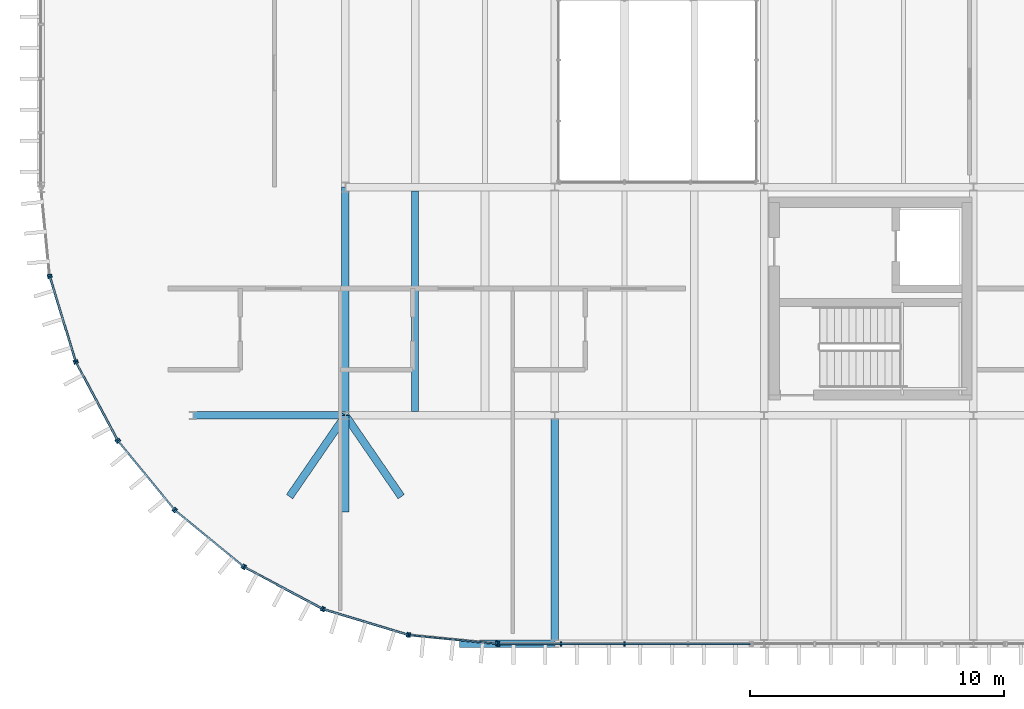
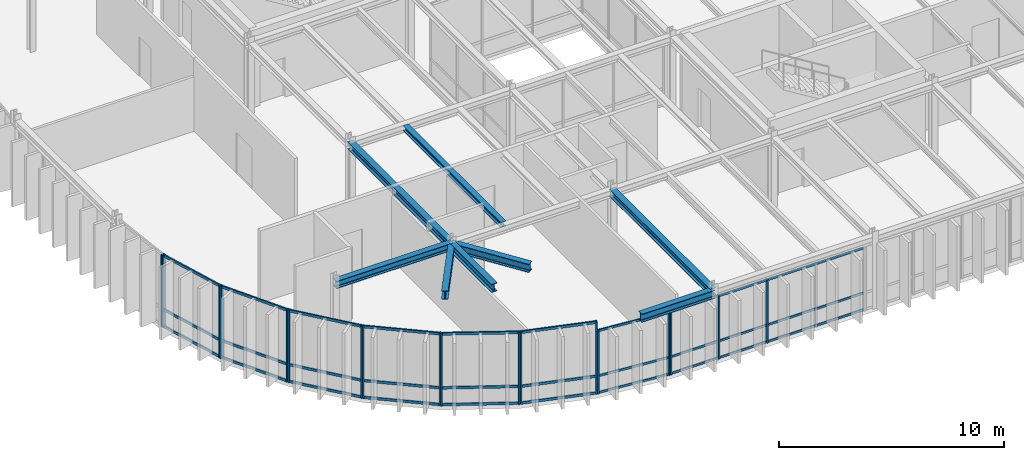
# One storey, part 5 of 27: 42 members, 8 beams, 9 elements without a shape of their own.
"""IFC4 building model written with IfcOpenShell, lengths in metres."""

from ifc_helpers import new_model, si_unit, direction, frame, origin, origin_2d, place, context, subcontext, project, spatial, rectangle, i_section, extrude, material, layer, layer_set, material_profile, profile_set, type_object, element, aggregate, save


model = new_model("IFC4")

# Units and contexts
model_context = context("Model", 3, precision=1e-05, world=origin(), true_north=direction((0.0, 1.0)))
body_context = subcontext(model_context, "Body", "Model", "MODEL_VIEW")
ifc_project = project(units=[si_unit("LENGTHUNIT", "METRE"), si_unit("AREAUNIT", "SQUARE_METRE"), si_unit("VOLUMEUNIT", "CUBIC_METRE"), si_unit("PLANEANGLEUNIT", "RADIAN"), si_unit("MASSUNIT", "GRAM", prefix="KILO")], contexts=[model_context])

# Site, building, storey
site_placement = place(None, origin())
site = spatial("IfcSite", under=ifc_project, at=site_placement, CompositionType="ELEMENT")
building_placement = place(site_placement, origin())
building = spatial("IfcBuilding", under=site, at=building_placement, Name="Montealbar Specialist Clinic", CompositionType="ELEMENT")
storey_placement = place(building_placement, frame((0.0, 0.0, 18.0)))
storey = spatial("IfcBuildingStorey", under=building, at=storey_placement, Name="L04", CompositionType="ELEMENT", Elevation=18.0)

# Beams
ifc_material_1 = material(Name="Steel S355", Category="steel")
ifc_material_profile_1 = material_profile(ifc_material_1, i_section(OverallWidth=0.300048828125, OverallDepth=0.39990234375, WebThickness=0.013427734375, FlangeThickness=0.02392578125, FilletRadius=0.027099609375, at=origin_2d()), Name="HEB 400", Category="steel")
ifc_profile_set_1 = profile_set([ifc_material_profile_1], Name="Steel S355")
beam_type_1 = type_object("IfcBeamType", Name="BM-GIRD-HEB400", PredefinedType="BEAM", material=ifc_profile_set_1)
beam_1_placement = place(storey_placement, frame((60.0, 9.0, 3.68994140625), z_axis=(1.0, 0.0, 0.0), x_axis=(0.0, 1.0, 0.0)))
element("IfcBeam", 1, at=beam_1_placement, inside=storey, type_object=beam_type_1, Name="Beam GX-L04-600-660-90", PredefinedType="BEAM", context=body_context, shape_type="SweptSolid", body=[
    extrude(i_section(OverallWidth=0.300048828125, OverallDepth=0.39990234375, WebThickness=0.013427734375, FlangeThickness=0.02392578125, FilletRadius=0.027099609375, at=origin_2d()), origin(), (0.0, 0.0, 1.0), 6.0),
])
beam_2_placement = place(storey_placement, frame((66.0, 9.0, 3.68994140625), z_axis=(0.0, 1.0, 0.0), x_axis=(-1.0, 0.0, 0.0)))
element("IfcBeam", 2, at=beam_2_placement, inside=storey, type_object=beam_type_1, Name="Beam GY-L04-660-90-180", PredefinedType="BEAM", context=body_context, shape_type="SweptSolid", body=[
    extrude(i_section(OverallWidth=0.300048828125, OverallDepth=0.39990234375, WebThickness=0.013427734375, FlangeThickness=0.02392578125, FilletRadius=0.027099609375, at=origin_2d()), origin(), (0.0, 0.0, 1.0), 9.0),
])
ifc_material_profile_2 = material_profile(ifc_material_1, i_section(OverallWidth=0.300048828125, OverallDepth=0.39990234375, WebThickness=0.013427734375, FlangeThickness=0.02392578125, FilletRadius=0.027099609375, at=origin_2d()), Name="HEB 400", Category="steel")
ifc_profile_set_2 = profile_set([ifc_material_profile_2], Name="Steel S355")
beam_type_2 = type_object("IfcBeamType", Name="BM-GIRD-HEB400-EXT", PredefinedType="BEAM", material=ifc_profile_set_2)
beam_3_placement = place(storey_placement, frame((74.25, 0.0, 3.68994140625), z_axis=(0.0, 1.0, 0.0), x_axis=(-1.0, 0.0, 0.0)))
element("IfcBeam", 3, at=beam_3_placement, inside=storey, type_object=beam_type_2, Name="Beam GY-L04-742-0-90", PredefinedType="BEAM", context=body_context, shape_type="SweptSolid", body=[
    extrude(i_section(OverallWidth=0.300048828125, OverallDepth=0.39990234375, WebThickness=0.013427734375, FlangeThickness=0.02392578125, FilletRadius=0.027099609375, at=origin_2d()), origin(), (0.0, 0.0, 1.0), 9.0),
])
ifc_material_profile_3 = material_profile(ifc_material_1, i_section(OverallWidth=0.300048828125, OverallDepth=0.449951171875, WebThickness=0.013916015625, FlangeThickness=0.02587890625, FilletRadius=0.027099609375, at=origin_2d()), Name="HEB 450", Category="steel")
ifc_profile_set_3 = profile_set([ifc_material_profile_3], Name="Steel S355")
beam_type_3 = type_object("IfcBeamType", Name="BM-GIRD-HEB450", PredefinedType="BEAM", material=ifc_profile_set_3)
beam_4_placement = place(storey_placement, frame((66.0, 9.0, 3.6630859375), z_axis=(0.56652615464, -0.824043758613, 0.0), x_axis=(0.824043758613, 0.56652615464, 0.0)))
element("IfcBeam", 4, at=beam_4_placement, inside=storey, type_object=beam_type_3, Name="Beam GD-L04-SWROOF-3", PredefinedType="BEAM", context=body_context, shape_type="SweptSolid", body=[
    extrude(i_section(OverallWidth=0.300048828125, OverallDepth=0.449951171875, WebThickness=0.013916015625, FlangeThickness=0.02587890625, FilletRadius=0.027099609375, at=origin_2d()), origin(), (0.0, 0.0, 1.0), 3.88330078125),
])
ifc_material_profile_4 = material_profile(ifc_material_1, i_section(OverallWidth=0.300048828125, OverallDepth=0.449951171875, WebThickness=0.013916015625, FlangeThickness=0.02587890625, FilletRadius=0.027099609375, at=origin_2d()), Name="HEB 450", Category="steel")
ifc_profile_set_4 = profile_set([ifc_material_profile_4], Name="Steel S355")
beam_type_4 = type_object("IfcBeamType", Name="BM-GIRD-HEB450-EXT", PredefinedType="BEAM", material=ifc_profile_set_4)
beam_5_placement = place(storey_placement, frame((66.0, 9.0, 3.6630859375), z_axis=(0.0, -1.0, 0.0), x_axis=(1.0, 0.0, 0.0)))
element("IfcBeam", 5, at=beam_5_placement, inside=storey, type_object=beam_type_4, Name="Beam GY-L04-SWROOF-1", PredefinedType="BEAM", context=body_context, shape_type="SweptSolid", body=[
    extrude(i_section(OverallWidth=0.300048828125, OverallDepth=0.449951171875, WebThickness=0.013916015625, FlangeThickness=0.02587890625, FilletRadius=0.027099609375, at=origin_2d()), origin(), (0.0, 0.0, 1.0), 3.800048828125),
])
beam_6_placement = place(storey_placement, frame((74.25, 0.0, 3.6630859375), z_axis=(-1.0, 0.0, 0.0), x_axis=(0.0, -1.0, 0.0)))
element("IfcBeam", 6, at=beam_6_placement, inside=storey, type_object=beam_type_4, Name="Beam GX-L04-SWROOF-2", PredefinedType="BEAM", context=body_context, shape_type="SweptSolid", body=[
    extrude(i_section(OverallWidth=0.300048828125, OverallDepth=0.449951171875, WebThickness=0.013916015625, FlangeThickness=0.02587890625, FilletRadius=0.027099609375, at=origin_2d()), origin(), (0.0, 0.0, 1.0), 3.75),
])
beam_7_placement = place(storey_placement, frame((66.0, 9.0, 3.6630859375), z_axis=(-0.56652615464, -0.824043758613, 0.0), x_axis=(0.824043758613, -0.56652615464, 0.0)))
element("IfcBeam", 7, at=beam_7_placement, inside=storey, type_object=beam_type_4, Name="Beam GD-L04-SWROOF-4", PredefinedType="BEAM", context=body_context, shape_type="SweptSolid", body=[
    extrude(i_section(OverallWidth=0.300048828125, OverallDepth=0.449951171875, WebThickness=0.013916015625, FlangeThickness=0.02587890625, FilletRadius=0.027099609375, at=origin_2d()), origin(), (0.0, 0.0, 1.0), 3.88330078125),
])
ifc_material_profile_5 = material_profile(ifc_material_1, i_section(OverallWidth=0.280029296875, OverallDepth=0.280029296875, WebThickness=0.010498046875, FlangeThickness=0.01806640625, FilletRadius=0.02392578125, at=origin_2d()), Name="HEB 280", Category="steel")
ifc_profile_set_5 = profile_set([ifc_material_profile_5], Name="Steel S355")
beam_type_5 = type_object("IfcBeamType", Name="BM-JST-HEB280", PredefinedType="JOIST", material=ifc_profile_set_5)
beam_8_placement = place(storey_placement, frame((68.75, 9.14990234375, 3.75), z_axis=(0.0, 1.0, 0.0), x_axis=(-1.0, 0.0, 0.0)))
element("IfcBeam", 8, at=beam_8_placement, inside=storey, type_object=beam_type_5, Name="Beam JST-L04-688-92-178", PredefinedType="JOIST", context=body_context, shape_type="SweptSolid", body=[
    extrude(i_section(OverallWidth=0.280029296875, OverallDepth=0.280029296875, WebThickness=0.010498046875, FlangeThickness=0.01806640625, FilletRadius=0.02392578125, at=origin_2d()), origin(), (0.0, 0.0, 1.0), 8.7001953125),
])

# Curtain wall, members
ifc_material_2 = material(Name="Low-E double glazing", Category="glass")
ifc_layer_1 = layer(ifc_material_2, 0.199951171875, Name="Low-E double glazing", Category="glass")
ifc_layer_set_1 = layer_set([ifc_layer_1], Name="Low-E double glazing")
curtain_wall_type_1 = type_object("IfcCurtainWallType", Name="CW-TYPE-32", PredefinedType="NOTDEFINED", material=ifc_layer_set_1)
curtain_wall_1_placement = place(storey_placement, origin())
curtain_wall_1 = element("IfcCurtainWall", 9, at=curtain_wall_1_placement, inside=storey, type_object=curtain_wall_type_1, Name="Unitised Curtain Wall CW-L04-820-0-720-0-180", PredefinedType="NOTDEFINED")
ifc_material_3 = material(Name="Anodised aluminium EN AW-6063", Category="aluminium")
ifc_material_profile_6 = material_profile(ifc_material_3, rectangle(XDim=0.070068359375, YDim=0.179931640625, at=origin_2d()), Name="ALU 70x180", Category="aluminium")
ifc_profile_set_6 = profile_set([ifc_material_profile_6], Name="Anodised aluminium EN AW-6063")
member_type_1 = type_object("IfcMemberType", Name="CW-MUL-200", PredefinedType="MULLION", material=ifc_profile_set_6)
member_1_placement = place(storey_placement, frame((77.0, 0.0, 0.0), z_axis=(0.0, 0.0, 1.0), x_axis=(-1.0, 0.0, 0.0)))
member_1 = element("IfcMember", 10, at=member_1_placement, type_object=member_type_1, Name="Curtain Wall Mullion CW-L04-820-0-720-0-180-02", PredefinedType="MULLION", context=body_context, shape_type="SweptSolid", body=[
    extrude(rectangle(XDim=0.070068359375, YDim=0.179931640625, at=origin_2d()), origin(), (0.0, 0.0, 1.0), 3.43798828125),
])
member_2_placement = place(storey_placement, frame((74.5, 0.0, 0.0), z_axis=(0.0, 0.0, 1.0), x_axis=(-1.0, 0.0, 0.0)))
member_2 = element("IfcMember", 11, at=member_2_placement, type_object=member_type_1, Name="Curtain Wall Mullion CW-L04-820-0-720-0-180-03", PredefinedType="MULLION", context=body_context, shape_type="SweptSolid", body=[
    extrude(rectangle(XDim=0.070068359375, YDim=0.179931640625, at=origin_2d()), origin(), (0.0, 0.0, 1.0), 3.43798828125),
])
member_3_placement = place(storey_placement, frame((72.0400390625, 0.0, 0.0), z_axis=(0.0, 0.0, 1.0), x_axis=(-1.0, 0.0, 0.0)))
member_3 = element("IfcMember", 12, at=member_3_placement, type_object=member_type_1, Name="Curtain Wall Mullion CW-L04-820-0-720-0-180-04", PredefinedType="MULLION", context=body_context, shape_type="SweptSolid", body=[
    extrude(rectangle(XDim=0.070068359375, YDim=0.179931640625, at=origin_2d()), origin(), (0.0, 0.0, 1.0), 3.43798828125),
])

ifc_layer_2 = layer(ifc_material_2, 0.199951171875, Name="Low-E double glazing", Category="glass")
ifc_layer_set_2 = layer_set([ifc_layer_2], Name="Low-E double glazing")
curtain_wall_type_2 = type_object("IfcCurtainWallType", Name="CW-TYPE-33", PredefinedType="NOTDEFINED", material=ifc_layer_set_2)
curtain_wall_2_placement = place(storey_placement, origin())
curtain_wall_2 = element("IfcCurtainWall", 13, at=curtain_wall_2_placement, inside=storey, type_object=curtain_wall_type_2, Name="Unitised Curtain Wall CW-L04-720-0-685-3-180", PredefinedType="NOTDEFINED")
member_4_placement = place(storey_placement, frame((71.9599609375, 0.00390625, 0.0), z_axis=(0.0, 0.0, 1.0), x_axis=(-0.995182012183, 0.098044697094, 0.0)))
member_4 = element("IfcMember", 14, at=member_4_placement, type_object=member_type_1, Name="Curtain Wall Mullion CW-L04-720-0-685-3-180-00", PredefinedType="MULLION", context=body_context, shape_type="SweptSolid", body=[
    extrude(rectangle(XDim=0.070068359375, YDim=0.179931640625, at=origin_2d()), origin(), (0.0, 0.0, 1.0), 3.43798828125),
])
member_5_placement = place(storey_placement, frame((68.528076171875, 0.342041015625, 0.0), z_axis=(0.0, 0.0, 1.0), x_axis=(-0.995182012183, 0.098044697094, 0.0)))
member_5 = element("IfcMember", 15, at=member_5_placement, type_object=member_type_1, Name="Curtain Wall Mullion CW-L04-720-0-685-3-180-01", PredefinedType="MULLION", context=body_context, shape_type="SweptSolid", body=[
    extrude(rectangle(XDim=0.070068359375, YDim=0.179931640625, at=origin_2d()), origin(), (0.0, 0.0, 1.0), 3.43798828125),
])

ifc_layer_3 = layer(ifc_material_2, 0.199951171875, Name="Low-E double glazing", Category="glass")
ifc_layer_set_3 = layer_set([ifc_layer_3], Name="Low-E double glazing")
curtain_wall_type_3 = type_object("IfcCurtainWallType", Name="CW-TYPE-29", PredefinedType="NOTDEFINED", material=ifc_layer_set_3)
curtain_wall_3_placement = place(storey_placement, origin())
curtain_wall_3 = element("IfcCurtainWall", 16, at=curtain_wall_3_placement, inside=storey, type_object=curtain_wall_type_3, Name="Unitised Curtain Wall CW-L04-685-3-651-14-180", PredefinedType="NOTDEFINED")
member_6_placement = place(storey_placement, frame((68.449951171875, 0.35791015625, 0.0), z_axis=(0.0, 0.0, 1.0), x_axis=(-0.956948083701, 0.290259134399, 0.0)))
member_6 = element("IfcMember", 17, at=member_6_placement, type_object=member_type_1, Name="Curtain Wall Mullion CW-L04-685-3-651-14-180-00", PredefinedType="MULLION", context=body_context, shape_type="SweptSolid", body=[
    extrude(rectangle(XDim=0.070068359375, YDim=0.179931640625, at=origin_2d()), origin(), (0.0, 0.0, 1.0), 3.919921875),
])
member_7_placement = place(storey_placement, frame((65.14990234375, 1.35791015625, 0.0), z_axis=(0.0, 0.0, 1.0), x_axis=(-0.956948083701, 0.290259134399, 0.0)))
member_7 = element("IfcMember", 18, at=member_7_placement, type_object=member_type_1, Name="Curtain Wall Mullion CW-L04-685-3-651-14-180-01", PredefinedType="MULLION", context=body_context, shape_type="SweptSolid", body=[
    extrude(rectangle(XDim=0.070068359375, YDim=0.179931640625, at=origin_2d()), origin(), (0.0, 0.0, 1.0), 3.919921875),
])

curtain_wall_4_placement = place(storey_placement, origin())
curtain_wall_4 = element("IfcCurtainWall", 19, at=curtain_wall_4_placement, inside=storey, type_object=curtain_wall_type_3, Name="Unitised Curtain Wall CW-L04-651-14-620-30-180", PredefinedType="NOTDEFINED")
member_8_placement = place(storey_placement, frame((65.076904296875, 1.388916015625, 0.0), z_axis=(0.0, 0.0, 1.0), x_axis=(-0.881850411644, 0.471529268958, 0.0)))
member_8 = element("IfcMember", 20, at=member_8_placement, type_object=member_type_1, Name="Curtain Wall Mullion CW-L04-651-14-620-30-180-00", PredefinedType="MULLION", context=body_context, shape_type="SweptSolid", body=[
    extrude(rectangle(XDim=0.070068359375, YDim=0.179931640625, at=origin_2d()), origin(), (0.0, 0.0, 1.0), 3.919921875),
])
member_9_placement = place(storey_placement, frame((62.034912109375, 3.014892578125, 0.0), z_axis=(0.0, 0.0, 1.0), x_axis=(-0.881850411644, 0.471529268958, 0.0)))
member_9 = element("IfcMember", 21, at=member_9_placement, type_object=member_type_1, Name="Curtain Wall Mullion CW-L04-651-14-620-30-180-01", PredefinedType="MULLION", context=body_context, shape_type="SweptSolid", body=[
    extrude(rectangle(XDim=0.070068359375, YDim=0.179931640625, at=origin_2d()), origin(), (0.0, 0.0, 1.0), 3.919921875),
])

curtain_wall_5_placement = place(storey_placement, origin())
curtain_wall_5 = element("IfcCurtainWall", 22, at=curtain_wall_5_placement, inside=storey, type_object=curtain_wall_type_3, Name="Unitised Curtain Wall CW-L04-620-30-593-53-180", PredefinedType="NOTDEFINED")
member_10_placement = place(storey_placement, frame((61.968994140625, 3.05908203125, 0.0), z_axis=(0.0, 0.0, 1.0), x_axis=(-0.773123255923, 0.634255808922, 0.0)))
member_10 = element("IfcMember", 23, at=member_10_placement, type_object=member_type_1, Name="Curtain Wall Mullion CW-L04-620-30-593-53-180-00", PredefinedType="MULLION", context=body_context, shape_type="SweptSolid", body=[
    extrude(rectangle(XDim=0.070068359375, YDim=0.179931640625, at=origin_2d()), origin(), (0.0, 0.0, 1.0), 3.919921875),
])
member_11_placement = place(storey_placement, frame((59.302978515625, 5.2470703125, 0.0), z_axis=(0.0, 0.0, 1.0), x_axis=(-0.773123255923, 0.634255808922, 0.0)))
member_11 = element("IfcMember", 24, at=member_11_placement, type_object=member_type_1, Name="Curtain Wall Mullion CW-L04-620-30-593-53-180-01", PredefinedType="MULLION", context=body_context, shape_type="SweptSolid", body=[
    extrude(rectangle(XDim=0.070068359375, YDim=0.179931640625, at=origin_2d()), origin(), (0.0, 0.0, 1.0), 3.919921875),
])

curtain_wall_6_placement = place(storey_placement, origin())
curtain_wall_6 = element("IfcCurtainWall", 25, at=curtain_wall_6_placement, inside=storey, type_object=curtain_wall_type_3, Name="Unitised Curtain Wall CW-L04-593-53-570-80-180", PredefinedType="NOTDEFINED")
member_12_placement = place(storey_placement, frame((59.2470703125, 5.302978515625, 0.0), z_axis=(0.0, 0.0, 1.0), x_axis=(-0.634255808922, 0.773123255923, 0.0)))
member_12 = element("IfcMember", 26, at=member_12_placement, type_object=member_type_1, Name="Curtain Wall Mullion CW-L04-593-53-570-80-180-00", PredefinedType="MULLION", context=body_context, shape_type="SweptSolid", body=[
    extrude(rectangle(XDim=0.070068359375, YDim=0.179931640625, at=origin_2d()), origin(), (0.0, 0.0, 1.0), 3.919921875),
])
member_13_placement = place(storey_placement, frame((57.05908203125, 7.968994140625, 0.0), z_axis=(0.0, 0.0, 1.0), x_axis=(-0.634255808922, 0.773123255923, 0.0)))
member_13 = element("IfcMember", 27, at=member_13_placement, type_object=member_type_1, Name="Curtain Wall Mullion CW-L04-593-53-570-80-180-01", PredefinedType="MULLION", context=body_context, shape_type="SweptSolid", body=[
    extrude(rectangle(XDim=0.070068359375, YDim=0.179931640625, at=origin_2d()), origin(), (0.0, 0.0, 1.0), 3.919921875),
])

curtain_wall_7_placement = place(storey_placement, origin())
curtain_wall_7 = element("IfcCurtainWall", 28, at=curtain_wall_7_placement, inside=storey, type_object=curtain_wall_type_3, Name="Unitised Curtain Wall CW-L04-570-80-554-111-180", PredefinedType="NOTDEFINED")
member_14_placement = place(storey_placement, frame((57.014892578125, 8.034912109375, 0.0), z_axis=(0.0, 0.0, 1.0), x_axis=(-0.471529268958, 0.881850411644, 0.0)))
member_14 = element("IfcMember", 29, at=member_14_placement, type_object=member_type_1, Name="Curtain Wall Mullion CW-L04-570-80-554-111-180-00", PredefinedType="MULLION", context=body_context, shape_type="SweptSolid", body=[
    extrude(rectangle(XDim=0.070068359375, YDim=0.179931640625, at=origin_2d()), origin(), (0.0, 0.0, 1.0), 3.919921875),
])
member_15_placement = place(storey_placement, frame((55.388916015625, 11.076904296875, 0.0), z_axis=(0.0, 0.0, 1.0), x_axis=(-0.471529268958, 0.881850411644, 0.0)))
member_15 = element("IfcMember", 30, at=member_15_placement, type_object=member_type_1, Name="Curtain Wall Mullion CW-L04-570-80-554-111-180-01", PredefinedType="MULLION", context=body_context, shape_type="SweptSolid", body=[
    extrude(rectangle(XDim=0.070068359375, YDim=0.179931640625, at=origin_2d()), origin(), (0.0, 0.0, 1.0), 3.919921875),
])

curtain_wall_8_placement = place(storey_placement, origin())
curtain_wall_8 = element("IfcCurtainWall", 31, at=curtain_wall_8_placement, inside=storey, type_object=curtain_wall_type_3, Name="Unitised Curtain Wall CW-L04-554-111-543-145-180", PredefinedType="NOTDEFINED")
member_16_placement = place(storey_placement, frame((55.35791015625, 11.14990234375, 0.0), z_axis=(0.0, 0.0, 1.0), x_axis=(-0.290259134399, 0.956948083701, 0.0)))
member_16 = element("IfcMember", 32, at=member_16_placement, type_object=member_type_1, Name="Curtain Wall Mullion CW-L04-554-111-543-145-180-00", PredefinedType="MULLION", context=body_context, shape_type="SweptSolid", body=[
    extrude(rectangle(XDim=0.070068359375, YDim=0.179931640625, at=origin_2d()), origin(), (0.0, 0.0, 1.0), 3.919921875),
])
member_17_placement = place(storey_placement, frame((54.35791015625, 14.449951171875, 0.0), z_axis=(0.0, 0.0, 1.0), x_axis=(-0.290259134399, 0.956948083701, 0.0)))
member_17 = element("IfcMember", 33, at=member_17_placement, type_object=member_type_1, Name="Curtain Wall Mullion CW-L04-554-111-543-145-180-01", PredefinedType="MULLION", context=body_context, shape_type="SweptSolid", body=[
    extrude(rectangle(XDim=0.070068359375, YDim=0.179931640625, at=origin_2d()), origin(), (0.0, 0.0, 1.0), 3.919921875),
])

# Curtain wall, member
curtain_wall_9_placement = place(storey_placement, origin())
curtain_wall_9 = element("IfcCurtainWall", 34, at=curtain_wall_9_placement, inside=storey, type_object=curtain_wall_type_3, Name="Unitised Curtain Wall CW-L04-543-145-540-180-180", PredefinedType="NOTDEFINED")
member_18_placement = place(storey_placement, frame((54.342041015625, 14.528076171875, 0.0), z_axis=(0.0, 0.0, 1.0), x_axis=(-0.098044697094, 0.995182012183, 0.0)))
member_18 = element("IfcMember", 35, at=member_18_placement, type_object=member_type_1, Name="Curtain Wall Mullion CW-L04-543-145-540-180-180-00", PredefinedType="MULLION", context=body_context, shape_type="SweptSolid", body=[
    extrude(rectangle(XDim=0.070068359375, YDim=0.179931640625, at=origin_2d()), origin(), (0.0, 0.0, 1.0), 3.919921875),
])
aggregate(curtain_wall_9, [member_18])

# Member
ifc_material_4 = material(Name="Powder-coated aluminium", Category="aluminium")
ifc_material_profile_7 = material_profile(ifc_material_4, rectangle(XDim=0.06005859375, YDim=0.1201171875, at=origin_2d()), Name="ALU 60x120", Category="aluminium")
ifc_profile_set_7 = profile_set([ifc_material_profile_7], Name="Powder-coated aluminium")
member_type_2 = type_object("IfcMemberType", Name="CW-TRN-120", PredefinedType="USERDEFINED", material=ifc_profile_set_7)
member_19_placement = place(storey_placement, frame((81.949951171875, 0.0, 0.0400390625), z_axis=(-1.0, 0.0, 0.0), x_axis=(0.0, -1.0, 0.0)))
member_19 = element("IfcMember", 36, at=member_19_placement, type_object=member_type_2, Name="Curtain Wall Transom CW-L04-820-0-720-0-180-00", ObjectType="TRANSOM", PredefinedType="USERDEFINED", context=body_context, shape_type="SweptSolid", body=[
    extrude(rectangle(XDim=0.06005859375, YDim=0.1201171875, at=origin_2d()), origin(), (0.0, 0.0, 1.0), 9.89990234375),
])

member_20_placement = place(storey_placement, frame((81.949951171875, 0.0, 0.949951171875), z_axis=(-1.0, 0.0, 0.0), x_axis=(0.0, -1.0, 0.0)))
member_20 = element("IfcMember", 37, at=member_20_placement, type_object=member_type_2, Name="Curtain Wall Transom CW-L04-820-0-720-0-180-01", ObjectType="TRANSOM", PredefinedType="USERDEFINED", context=body_context, shape_type="SweptSolid", body=[
    extrude(rectangle(XDim=0.06005859375, YDim=0.1201171875, at=origin_2d()), origin(), (0.0, 0.0, 1.0), 9.89990234375),
])

member_21_placement = place(storey_placement, frame((81.949951171875, 0.0, 3.39794921875), z_axis=(-1.0, 0.0, 0.0), x_axis=(0.0, -1.0, 0.0)))
member_21 = element("IfcMember", 38, at=member_21_placement, type_object=member_type_2, Name="Curtain Wall Transom CW-L04-820-0-720-0-180-02", ObjectType="TRANSOM", PredefinedType="USERDEFINED", context=body_context, shape_type="SweptSolid", body=[
    extrude(rectangle(XDim=0.06005859375, YDim=0.1201171875, at=origin_2d()), origin(), (0.0, 0.0, 1.0), 9.89990234375),
])

aggregate(curtain_wall_1, [member_1, member_2, member_3, member_19, member_20, member_21])

member_22_placement = place(storey_placement, frame((71.949951171875, 0.0048828125, 0.0400390625), z_axis=(-0.995180678623, 0.098058232162, 0.0), x_axis=(-0.098058232162, -0.995180678623, 0.0)))
member_22 = element("IfcMember", 39, at=member_22_placement, type_object=member_type_2, Name="Curtain Wall Transom CW-L04-720-0-685-3-180-00", ObjectType="TRANSOM", PredefinedType="USERDEFINED", context=body_context, shape_type="SweptSolid", body=[
    extrude(rectangle(XDim=0.06005859375, YDim=0.1201171875, at=origin_2d()), origin(), (0.0, 0.0, 1.0), 3.428466796875),
])

member_23_placement = place(storey_placement, frame((71.949951171875, 0.0048828125, 0.949951171875), z_axis=(-0.995180678623, 0.098058232162, 0.0), x_axis=(-0.098058232162, -0.995180678623, 0.0)))
member_23 = element("IfcMember", 40, at=member_23_placement, type_object=member_type_2, Name="Curtain Wall Transom CW-L04-720-0-685-3-180-01", ObjectType="TRANSOM", PredefinedType="USERDEFINED", context=body_context, shape_type="SweptSolid", body=[
    extrude(rectangle(XDim=0.06005859375, YDim=0.1201171875, at=origin_2d()), origin(), (0.0, 0.0, 1.0), 3.428466796875),
])

member_24_placement = place(storey_placement, frame((71.949951171875, 0.0048828125, 3.39794921875), z_axis=(-0.995180678623, 0.098058232162, 0.0), x_axis=(-0.098058232162, -0.995180678623, 0.0)))
member_24 = element("IfcMember", 41, at=member_24_placement, type_object=member_type_2, Name="Curtain Wall Transom CW-L04-720-0-685-3-180-02", ObjectType="TRANSOM", PredefinedType="USERDEFINED", context=body_context, shape_type="SweptSolid", body=[
    extrude(rectangle(XDim=0.06005859375, YDim=0.1201171875, at=origin_2d()), origin(), (0.0, 0.0, 1.0), 3.428466796875),
])

aggregate(curtain_wall_2, [member_4, member_5, member_22, member_23, member_24])

ifc_material_profile_8 = material_profile(ifc_material_4, rectangle(XDim=0.070068359375, YDim=0.139892578125, at=origin_2d()), Name="ALU 70x140", Category="aluminium")
ifc_profile_set_8 = profile_set([ifc_material_profile_8], Name="Powder-coated aluminium")
member_type_3 = type_object("IfcMemberType", Name="CW-TRN-140", PredefinedType="USERDEFINED", material=ifc_profile_set_8)
member_25_placement = place(storey_placement, frame((68.43994140625, 0.361083984375, 0.0400390625), z_axis=(-0.957028598092, 0.289993555849, 0.0), x_axis=(-0.289993555849, -0.957028598092, 0.0)))
member_25 = element("IfcMember", 42, at=member_25_placement, type_object=member_type_3, Name="Curtain Wall Transom CW-L04-685-3-651-14-180-00", ObjectType="TRANSOM", PredefinedType="USERDEFINED", context=body_context, shape_type="SweptSolid", body=[
    extrude(rectangle(XDim=0.070068359375, YDim=0.139892578125, at=origin_2d()), origin(), (0.0, 0.0, 1.0), 3.42724609375),
])

member_26_placement = place(storey_placement, frame((68.43994140625, 0.361083984375, 0.949951171875), z_axis=(-0.957028598092, 0.289993555849, 0.0), x_axis=(-0.289993555849, -0.957028598092, 0.0)))
member_26 = element("IfcMember", 43, at=member_26_placement, type_object=member_type_3, Name="Curtain Wall Transom CW-L04-685-3-651-14-180-01", ObjectType="TRANSOM", PredefinedType="USERDEFINED", context=body_context, shape_type="SweptSolid", body=[
    extrude(rectangle(XDim=0.070068359375, YDim=0.139892578125, at=origin_2d()), origin(), (0.0, 0.0, 1.0), 3.42724609375),
])

member_27_placement = place(storey_placement, frame((68.43994140625, 0.361083984375, 3.8798828125), z_axis=(-0.957028598092, 0.289993555849, 0.0), x_axis=(-0.289993555849, -0.957028598092, 0.0)))
member_27 = element("IfcMember", 44, at=member_27_placement, type_object=member_type_3, Name="Curtain Wall Transom CW-L04-685-3-651-14-180-02", ObjectType="TRANSOM", PredefinedType="USERDEFINED", context=body_context, shape_type="SweptSolid", body=[
    extrude(rectangle(XDim=0.070068359375, YDim=0.139892578125, at=origin_2d()), origin(), (0.0, 0.0, 1.0), 3.42724609375),
])

aggregate(curtain_wall_3, [member_6, member_7, member_25, member_26, member_27])

member_28_placement = place(storey_placement, frame((65.068115234375, 1.39404296875, 0.0400390625), z_axis=(-0.881980147273, 0.471286558069, 0.0), x_axis=(-0.471286558069, -0.881980147273, 0.0)))
member_28 = element("IfcMember", 45, at=member_28_placement, type_object=member_type_3, Name="Curtain Wall Transom CW-L04-651-14-620-30-180-00", ObjectType="TRANSOM", PredefinedType="USERDEFINED", context=body_context, shape_type="SweptSolid", body=[
    extrude(rectangle(XDim=0.070068359375, YDim=0.139892578125, at=origin_2d()), origin(), (0.0, 0.0, 1.0), 3.428955078125),
])

member_29_placement = place(storey_placement, frame((65.068115234375, 1.39404296875, 0.949951171875), z_axis=(-0.881980147273, 0.471286558069, 0.0), x_axis=(-0.471286558069, -0.881980147273, 0.0)))
member_29 = element("IfcMember", 46, at=member_29_placement, type_object=member_type_3, Name="Curtain Wall Transom CW-L04-651-14-620-30-180-01", ObjectType="TRANSOM", PredefinedType="USERDEFINED", context=body_context, shape_type="SweptSolid", body=[
    extrude(rectangle(XDim=0.070068359375, YDim=0.139892578125, at=origin_2d()), origin(), (0.0, 0.0, 1.0), 3.428955078125),
])

member_30_placement = place(storey_placement, frame((65.068115234375, 1.39404296875, 3.8798828125), z_axis=(-0.881980147273, 0.471286558069, 0.0), x_axis=(-0.471286558069, -0.881980147273, 0.0)))
member_30 = element("IfcMember", 47, at=member_30_placement, type_object=member_type_3, Name="Curtain Wall Transom CW-L04-651-14-620-30-180-02", ObjectType="TRANSOM", PredefinedType="USERDEFINED", context=body_context, shape_type="SweptSolid", body=[
    extrude(rectangle(XDim=0.070068359375, YDim=0.139892578125, at=origin_2d()), origin(), (0.0, 0.0, 1.0), 3.428955078125),
])

aggregate(curtain_wall_4, [member_8, member_9, member_28, member_29, member_30])

member_31_placement = place(storey_placement, frame((61.9609375, 3.06591796875, 0.0400390625), z_axis=(-0.773102924144, 0.634280591441, 0.0), x_axis=(-0.634280591441, -0.773102924144, 0.0)))
member_31 = element("IfcMember", 48, at=member_31_placement, type_object=member_type_3, Name="Curtain Wall Transom CW-L04-620-30-593-53-180-00", ObjectType="TRANSOM", PredefinedType="USERDEFINED", context=body_context, shape_type="SweptSolid", body=[
    extrude(rectangle(XDim=0.070068359375, YDim=0.139892578125, at=origin_2d()), origin(), (0.0, 0.0, 1.0), 3.427734375),
])

member_32_placement = place(storey_placement, frame((61.9609375, 3.06591796875, 0.949951171875), z_axis=(-0.773102924144, 0.634280591441, 0.0), x_axis=(-0.634280591441, -0.773102924144, 0.0)))
member_32 = element("IfcMember", 49, at=member_32_placement, type_object=member_type_3, Name="Curtain Wall Transom CW-L04-620-30-593-53-180-01", ObjectType="TRANSOM", PredefinedType="USERDEFINED", context=body_context, shape_type="SweptSolid", body=[
    extrude(rectangle(XDim=0.070068359375, YDim=0.139892578125, at=origin_2d()), origin(), (0.0, 0.0, 1.0), 3.427734375),
])

member_33_placement = place(storey_placement, frame((61.9609375, 3.06591796875, 3.8798828125), z_axis=(-0.773102924144, 0.634280591441, 0.0), x_axis=(-0.634280591441, -0.773102924144, 0.0)))
member_33 = element("IfcMember", 50, at=member_33_placement, type_object=member_type_3, Name="Curtain Wall Transom CW-L04-620-30-593-53-180-02", ObjectType="TRANSOM", PredefinedType="USERDEFINED", context=body_context, shape_type="SweptSolid", body=[
    extrude(rectangle(XDim=0.070068359375, YDim=0.139892578125, at=origin_2d()), origin(), (0.0, 0.0, 1.0), 3.427734375),
])

aggregate(curtain_wall_5, [member_10, member_11, member_31, member_32, member_33])

member_34_placement = place(storey_placement, frame((59.239990234375, 5.31103515625, 0.0400390625), z_axis=(-0.634280591441, 0.773102924144, 0.0), x_axis=(-0.773102924144, -0.634280591441, 0.0)))
member_34 = element("IfcMember", 51, at=member_34_placement, type_object=member_type_3, Name="Curtain Wall Transom CW-L04-593-53-570-80-180-00", ObjectType="TRANSOM", PredefinedType="USERDEFINED", context=body_context, shape_type="SweptSolid", body=[
    extrude(rectangle(XDim=0.070068359375, YDim=0.139892578125, at=origin_2d()), origin(), (0.0, 0.0, 1.0), 3.427734375),
])

member_35_placement = place(storey_placement, frame((59.239990234375, 5.31103515625, 0.949951171875), z_axis=(-0.634280591441, 0.773102924144, 0.0), x_axis=(-0.773102924144, -0.634280591441, 0.0)))
member_35 = element("IfcMember", 52, at=member_35_placement, type_object=member_type_3, Name="Curtain Wall Transom CW-L04-593-53-570-80-180-01", ObjectType="TRANSOM", PredefinedType="USERDEFINED", context=body_context, shape_type="SweptSolid", body=[
    extrude(rectangle(XDim=0.070068359375, YDim=0.139892578125, at=origin_2d()), origin(), (0.0, 0.0, 1.0), 3.427734375),
])

member_36_placement = place(storey_placement, frame((59.239990234375, 5.31103515625, 3.8798828125), z_axis=(-0.634280591441, 0.773102924144, 0.0), x_axis=(-0.773102924144, -0.634280591441, 0.0)))
member_36 = element("IfcMember", 53, at=member_36_placement, type_object=member_type_3, Name="Curtain Wall Transom CW-L04-593-53-570-80-180-02", ObjectType="TRANSOM", PredefinedType="USERDEFINED", context=body_context, shape_type="SweptSolid", body=[
    extrude(rectangle(XDim=0.070068359375, YDim=0.139892578125, at=origin_2d()), origin(), (0.0, 0.0, 1.0), 3.427734375),
])

aggregate(curtain_wall_6, [member_12, member_13, member_34, member_35, member_36])

member_37_placement = place(storey_placement, frame((57.010009765625, 8.0439453125, 0.0400390625), z_axis=(-0.471286558069, 0.881980147273, 0.0), x_axis=(-0.881980147273, -0.471286558069, 0.0)))
member_37 = element("IfcMember", 54, at=member_37_placement, type_object=member_type_3, Name="Curtain Wall Transom CW-L04-570-80-554-111-180-00", ObjectType="TRANSOM", PredefinedType="USERDEFINED", context=body_context, shape_type="SweptSolid", body=[
    extrude(rectangle(XDim=0.070068359375, YDim=0.139892578125, at=origin_2d()), origin(), (0.0, 0.0, 1.0), 3.428955078125),
])

member_38_placement = place(storey_placement, frame((57.010009765625, 8.0439453125, 0.949951171875), z_axis=(-0.471286558069, 0.881980147273, 0.0), x_axis=(-0.881980147273, -0.471286558069, 0.0)))
member_38 = element("IfcMember", 55, at=member_38_placement, type_object=member_type_3, Name="Curtain Wall Transom CW-L04-570-80-554-111-180-01", ObjectType="TRANSOM", PredefinedType="USERDEFINED", context=body_context, shape_type="SweptSolid", body=[
    extrude(rectangle(XDim=0.070068359375, YDim=0.139892578125, at=origin_2d()), origin(), (0.0, 0.0, 1.0), 3.428955078125),
])

member_39_placement = place(storey_placement, frame((57.010009765625, 8.0439453125, 3.8798828125), z_axis=(-0.471286558069, 0.881980147273, 0.0), x_axis=(-0.881980147273, -0.471286558069, 0.0)))
member_39 = element("IfcMember", 56, at=member_39_placement, type_object=member_type_3, Name="Curtain Wall Transom CW-L04-570-80-554-111-180-02", ObjectType="TRANSOM", PredefinedType="USERDEFINED", context=body_context, shape_type="SweptSolid", body=[
    extrude(rectangle(XDim=0.070068359375, YDim=0.139892578125, at=origin_2d()), origin(), (0.0, 0.0, 1.0), 3.428955078125),
])

aggregate(curtain_wall_7, [member_14, member_15, member_37, member_38, member_39])

member_40_placement = place(storey_placement, frame((55.35498046875, 11.159912109375, 0.0400390625), z_axis=(-0.289993555849, 0.957028598092, 0.0), x_axis=(-0.957028598092, -0.289993555849, 0.0)))
member_40 = element("IfcMember", 57, at=member_40_placement, type_object=member_type_3, Name="Curtain Wall Transom CW-L04-554-111-543-145-180-00", ObjectType="TRANSOM", PredefinedType="USERDEFINED", context=body_context, shape_type="SweptSolid", body=[
    extrude(rectangle(XDim=0.070068359375, YDim=0.139892578125, at=origin_2d()), origin(), (0.0, 0.0, 1.0), 3.42724609375),
])

member_41_placement = place(storey_placement, frame((55.35498046875, 11.159912109375, 0.949951171875), z_axis=(-0.289993555849, 0.957028598092, 0.0), x_axis=(-0.957028598092, -0.289993555849, 0.0)))
member_41 = element("IfcMember", 58, at=member_41_placement, type_object=member_type_3, Name="Curtain Wall Transom CW-L04-554-111-543-145-180-01", ObjectType="TRANSOM", PredefinedType="USERDEFINED", context=body_context, shape_type="SweptSolid", body=[
    extrude(rectangle(XDim=0.070068359375, YDim=0.139892578125, at=origin_2d()), origin(), (0.0, 0.0, 1.0), 3.42724609375),
])

member_42_placement = place(storey_placement, frame((55.35498046875, 11.159912109375, 3.8798828125), z_axis=(-0.289993555849, 0.957028598092, 0.0), x_axis=(-0.957028598092, -0.289993555849, 0.0)))
member_42 = element("IfcMember", 59, at=member_42_placement, type_object=member_type_3, Name="Curtain Wall Transom CW-L04-554-111-543-145-180-02", ObjectType="TRANSOM", PredefinedType="USERDEFINED", context=body_context, shape_type="SweptSolid", body=[
    extrude(rectangle(XDim=0.070068359375, YDim=0.139892578125, at=origin_2d()), origin(), (0.0, 0.0, 1.0), 3.42724609375),
])

aggregate(curtain_wall_8, [member_16, member_17, member_40, member_41, member_42])

save(model, "model.ifc")
